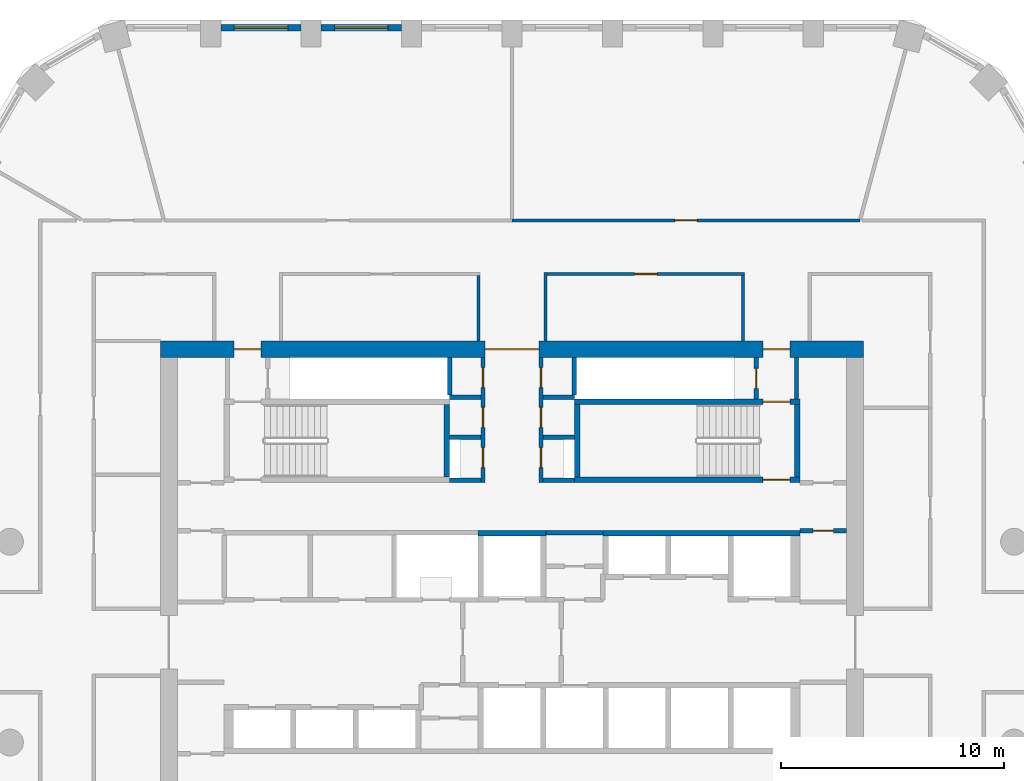
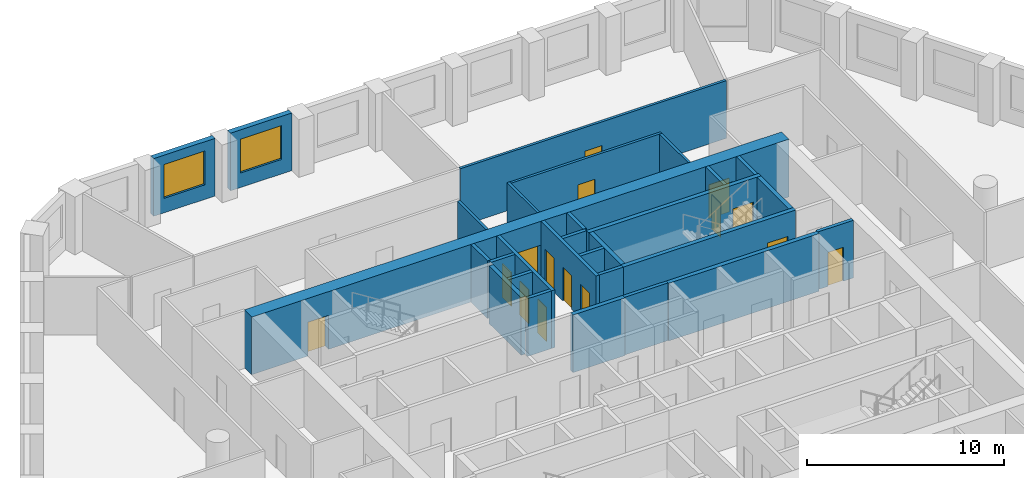
# One storey, part 7 of 10: 29 walls, 15 doors, 2 windows, 17 openings.
"""IFC4 building model written with IfcOpenShell, lengths in metres."""

from ifc_helpers import new_model, si_unit, direction, frame, frame_2d, origin, place, context, subcontext, project, spatial, polyline, rectangle, outline, extrude, material, layer, layer_set, type_object, element, fill, save


model = new_model("IFC4")

# Units and contexts
model_context = context("Model", 3, precision=1e-05, world=origin(), true_north=direction((0.0, 1.0)))
body_context = subcontext(model_context, "Body", "Model", "MODEL_VIEW")
ifc_project = project(units=[si_unit("LENGTHUNIT", "METRE"), si_unit("AREAUNIT", "SQUARE_METRE"), si_unit("VOLUMEUNIT", "CUBIC_METRE"), si_unit("PLANEANGLEUNIT", "RADIAN"), si_unit("MASSUNIT", "GRAM", prefix="KILO")], contexts=[model_context])

# Site, building, storey
site_placement = place(None, origin())
site = spatial("IfcSite", under=ifc_project, at=site_placement, CompositionType="ELEMENT")
building_placement = place(site_placement, origin())
building = spatial("IfcBuilding", under=site, at=building_placement, Name="Dhurran Vertical Campus", CompositionType="ELEMENT")
storey_placement = place(building_placement, frame((0.0, 0.0, 152.10009765625)))
storey = spatial("IfcBuildingStorey", under=building, at=storey_placement, Name="L37", CompositionType="ELEMENT", Elevation=152.10009765625)

# Wall, opening, window
ifc_material_1 = material(Name="Precast concrete C50/60", Category="concrete")
ifc_layer_1 = layer(ifc_material_1, 0.300048828125)
ifc_layer_set_1 = layer_set([ifc_layer_1], Name="Precast concrete C50/60")
wall_type_1 = type_object("IfcWallType", Name="Precast spandrel wall 300", PredefinedType="SOLIDWALL", material=ifc_layer_set_1)
wall_1_placement = place(storey_placement, frame((-4.950439453125, 27.53271484375, 0.0), z_axis=(0.0, 0.0, 1.0), x_axis=(-1.0, 0.0, 0.0)))
wall_1 = element("IfcWall", 1, at=wall_1_placement, inside=storey, type_object=wall_type_1, Name="EW1 L37.28", PredefinedType="SOLIDWALL", context=body_context, shape_type="SweptSolid", body=[
    extrude(rectangle(XDim=3.59912109375, YDim=0.300048828125, at=frame_2d((1.799560546875, 0.0))), origin(), (0.0, 0.0, 1.0), 3.574951171875),
])
opening_1_placement = place(wall_1_placement, frame((0.599609375, 0.0, 0.89990234375)))
opening_1 = element("IfcOpeningElement", 2, at=opening_1_placement, cuts=wall_1, Name="Opening WT1", PredefinedType="OPENING", context=body_context, shape_type="SweptSolid", body=[
    extrude(rectangle(XDim=2.39990234375, YDim=2.10009765625, at=frame_2d((1.199951171875, 1.050048828125))), frame((0.0, 0.159912109375, 0.0), z_axis=(0.0, -1.0, 0.0), x_axis=(1.0, 0.0, 0.0)), (0.0, 0.0, 1.0), 0.320068359375),
])
ifc_material_2 = material(Name="Aluminium frame with solar-control glass", Category="aluminium")
window_type = type_object("IfcWindowType", Name="Punched window 2400 x 2100", PartitioningType="SINGLE_PANEL", PredefinedType="WINDOW", material=ifc_material_2)
window_1_placement = place(opening_1_placement, origin())
window_1 = element("IfcWindow", 3, at=window_1_placement, inside=storey, type_object=window_type, Name="WT1 L37.28", OverallHeight=2.10009765625, OverallWidth=2.39990234375, PartitioningType="SINGLE_PANEL", PredefinedType="WINDOW", context=body_context, shape_type="SweptSolid", body=[
    extrude(rectangle(XDim=2.39990234375, YDim=2.10009765625, at=frame_2d((1.199951171875, 1.050048828125))), frame((0.0, 0.030029296875, 0.0), z_axis=(0.0, -1.0, 0.0), x_axis=(1.0, 0.0, 0.0)), (0.0, 0.0, 1.0), 0.06005859375),
])
fill(opening_1, window_1)

wall_2_placement = place(storey_placement, frame((-9.450439453125, 27.53271484375, 0.0), z_axis=(0.0, 0.0, 1.0), x_axis=(-1.0, 0.0, 0.0)))
wall_2 = element("IfcWall", 4, at=wall_2_placement, inside=storey, type_object=wall_type_1, Name="EW1 L37.29", PredefinedType="SOLIDWALL", context=body_context, shape_type="SweptSolid", body=[
    extrude(rectangle(XDim=3.59912109375, YDim=0.300048828125, at=frame_2d((1.799560546875, 0.0))), origin(), (0.0, 0.0, 1.0), 3.574951171875),
])
opening_2_placement = place(wall_2_placement, frame((0.599609375, 0.0, 0.89990234375)))
opening_2 = element("IfcOpeningElement", 5, at=opening_2_placement, cuts=wall_2, Name="Opening WT1", PredefinedType="OPENING", context=body_context, shape_type="SweptSolid", body=[
    extrude(rectangle(XDim=2.39990234375, YDim=2.10009765625, at=frame_2d((1.199951171875, 1.050048828125))), frame((0.0, 0.159912109375, 0.0), z_axis=(0.0, -1.0, 0.0), x_axis=(1.0, 0.0, 0.0)), (0.0, 0.0, 1.0), 0.320068359375),
])
window_2_placement = place(opening_2_placement, origin())
window_2 = element("IfcWindow", 6, at=window_2_placement, inside=storey, type_object=window_type, Name="WT1 L37.29", OverallHeight=2.10009765625, OverallWidth=2.39990234375, PartitioningType="SINGLE_PANEL", PredefinedType="WINDOW", context=body_context, shape_type="SweptSolid", body=[
    extrude(rectangle(XDim=2.39990234375, YDim=2.10009765625, at=frame_2d((1.199951171875, 1.050048828125))), frame((0.0, 0.030029296875, 0.0), z_axis=(0.0, -1.0, 0.0), x_axis=(1.0, 0.0, 0.0)), (0.0, 0.0, 1.0), 0.06005859375),
])
fill(opening_2, window_2)

# Wall, openings, doors
ifc_material_3 = material(Name="Concrete C60/75", Category="concrete")
ifc_layer_2 = layer(ifc_material_3, 0.75)
ifc_layer_set_2 = layer_set([ifc_layer_2], Name="Concrete C60/75")
wall_type_2 = type_object("IfcWallType", Name="co-CORE-WALL-C1-750", PredefinedType="SHEAR", material=ifc_layer_set_2)
wall_3_placement = place(storey_placement, frame((-15.75, 13.125, 0.0), z_axis=(0.0, 0.0, 1.0), x_axis=(1.0, 0.0, 0.0)))
wall_3 = element("IfcWall", 7, at=wall_3_placement, inside=storey, type_object=wall_type_2, Name="Core wall N L37", PredefinedType="SHEAR", context=body_context, shape_type="SweptSolid", body=[
    extrude(rectangle(XDim=31.5, YDim=0.75, at=frame_2d((15.75, 0.0))), origin(), (0.0, 0.0, 1.0), 3.574951171875),
])
opening_3_placement = place(wall_3_placement, frame((14.550048828125, 0.0, 0.0)))
opening_3 = element("IfcOpeningElement", 8, at=opening_3_placement, cuts=wall_3, Name="Opening CV1", PredefinedType="OPENING", context=body_context, shape_type="SweptSolid", body=[
    extrude(rectangle(XDim=2.39990234375, YDim=2.10009765625, at=frame_2d((1.199951171875, 1.050048828125))), frame((0.0, 0.385009765625, 0.0), z_axis=(0.0, -1.0, 0.0), x_axis=(1.0, 0.0, 0.0)), (0.0, 0.0, 1.0), 0.77001953125),
])
opening_4_placement = place(wall_3_placement, frame((3.300048828125, 0.0, 0.0)))
opening_4 = element("IfcOpeningElement", 9, at=opening_4_placement, cuts=wall_3, Name="Opening XD1", PredefinedType="OPENING", context=body_context, shape_type="SweptSolid", body=[
    extrude(rectangle(XDim=1.199951171875, YDim=2.10009765625, at=frame_2d((0.60009765625, 1.050048828125))), frame((0.0, 0.385009765625, 0.0), z_axis=(0.0, -1.0, 0.0), x_axis=(1.0, 0.0, 0.0)), (0.0, 0.0, 1.0), 0.77001953125),
])
opening_5_placement = place(wall_3_placement, frame((27.0, 0.0, 0.0)))
opening_5 = element("IfcOpeningElement", 10, at=opening_5_placement, cuts=wall_3, Name="Opening XD2", PredefinedType="OPENING", context=body_context, shape_type="SweptSolid", body=[
    extrude(rectangle(XDim=1.199951171875, YDim=2.10009765625, at=frame_2d((0.60009765625, 1.050048828125))), frame((0.0, 0.385009765625, 0.0), z_axis=(0.0, -1.0, 0.0), x_axis=(1.0, 0.0, 0.0)), (0.0, 0.0, 1.0), 0.77001953125),
])
ifc_material_4 = material(Name="Fire-rated glazed door set")
door_type_1 = type_object("IfcDoorType", Name="co-D-LOBBY 2400x2100", OperationType="DOUBLE_DOOR_DOUBLE_SWING", PredefinedType="DOOR", material=ifc_material_4)
door_1_placement = place(opening_3_placement, origin())
door_1 = element("IfcDoor", 11, at=door_1_placement, inside=storey, type_object=door_type_1, Name="Core vestibule door N L37", OperationType="DOUBLE_DOOR_DOUBLE_SWING", OverallHeight=2.10009765625, OverallWidth=2.39990234375, PredefinedType="DOOR", context=body_context, shape_type="SweptSolid", body=[
    extrude(rectangle(XDim=2.39990234375, YDim=2.10009765625, at=frame_2d((1.199951171875, 1.050048828125))), frame((0.0, 0.02490234375, 0.0), z_axis=(0.0, -1.0, 0.0), x_axis=(1.0, 0.0, 0.0)), (0.0, 0.0, 1.0), 0.050048828125),
])
fill(opening_3, door_1)
ifc_material_5 = material(Name="Fire-rated steel door set", Category="steel")
door_type_2 = type_object("IfcDoorType", Name="co-D-STAIR-EXIT 1200x2100", OperationType="SINGLE_SWING_RIGHT", PredefinedType="DOOR", material=ifc_material_5)
door_2_placement = place(opening_4_placement, origin())
door_2 = element("IfcDoor", 12, at=door_2_placement, inside=storey, type_object=door_type_2, Name="Stair ST1 exit door L37", OperationType="SINGLE_SWING_RIGHT", OverallHeight=2.10009765625, OverallWidth=1.199951171875, PredefinedType="DOOR", context=body_context, shape_type="SweptSolid", body=[
    extrude(rectangle(XDim=1.199951171875, YDim=2.10009765625, at=frame_2d((0.60009765625, 1.050048828125))), frame((0.0, 0.02490234375, 0.0), z_axis=(0.0, -1.0, 0.0), x_axis=(1.0, 0.0, 0.0)), (0.0, 0.0, 1.0), 0.050048828125),
])
fill(opening_4, door_2)
door_3_placement = place(opening_5_placement, origin())
door_3 = element("IfcDoor", 13, at=door_3_placement, inside=storey, type_object=door_type_2, Name="Stair ST2 exit door L37", OperationType="SINGLE_SWING_RIGHT", OverallHeight=2.10009765625, OverallWidth=1.199951171875, PredefinedType="DOOR", context=body_context, shape_type="SweptSolid", body=[
    extrude(rectangle(XDim=1.199951171875, YDim=2.10009765625, at=frame_2d((0.60009765625, 1.050048828125))), frame((0.0, 0.02490234375, 0.0), z_axis=(0.0, -1.0, 0.0), x_axis=(1.0, 0.0, 0.0)), (0.0, 0.0, 1.0), 0.050048828125),
])
fill(opening_5, door_3)

# Walls
ifc_material_6 = material(Name="Fire-rated masonry blockwork", Category="masonry")
ifc_layer_3 = layer(ifc_material_6, 0.199951171875)
ifc_layer_set_3 = layer_set([ifc_layer_3], Name="Fire-rated masonry blockwork")
wall_type_3 = type_object("IfcWallType", Name="co-FIRE-PARTITION-200", PredefinedType="PARTITIONING", material=ifc_layer_set_3)
for number, where, z_axis, x_axis, name in (
    (14, (-2.800048828125, 7.25, 0.0), (0.0, 0.0, 1.0), (1.0, 0.0, 0.0), "Core partition sl-NW-S L37"),
    (15, (-2.800048828125, 9.18603515625, 0.0), (0.0, 0.0, 1.0), (1.0, 0.0, 0.0), "Core partition sl-NW-cut0 L37"),
    (16, (-2.800048828125, 10.968017578125, 0.0), (0.0, 0.0, 1.0), (1.0, 0.0, 0.0), "Core partition sl-NW-cut1 L37"),
    (17, (1.39990234375, 7.25, 0.0), (0.0, 0.0, 1.0), (1.0, 0.0, 0.0), "Core partition sl-NE-S L37"),
    (18, (1.39990234375, 9.18603515625, 0.0), (0.0, 0.0, 1.0), (1.0, 0.0, 0.0), "Core partition sl-NE-cut0 L37"),
    (19, (1.39990234375, 10.968017578125, 0.0), (0.0, 0.0, 1.0), (1.0, 0.0, 0.0), "Core partition sl-NE-cut1 L37"),
):
    element("IfcWall", number, at=place(storey_placement, frame(where, z_axis=z_axis, x_axis=x_axis)), inside=storey, type_object=wall_type_3, Name=name, PredefinedType="PARTITIONING", context=body_context, shape_type="SweptSolid", body=[
        extrude(rectangle(XDim=1.400146484375, YDim=0.199951171875, at=frame_2d((0.7001953125, 0.0))), origin(), (0.0, 0.0, 1.0), 3.574951171875),
    ])

# Wall, openings, doors
wall_4_placement = place(storey_placement, frame((-1.300048828125, 7.14990234375, 0.0), z_axis=(0.0, 0.0, 1.0), x_axis=(0.0, 1.0, 0.0)))
wall_4 = element("IfcWall", 20, at=wall_4_placement, inside=storey, type_object=wall_type_3, Name="Core partition vest-NW L37", PredefinedType="PARTITIONING", context=body_context, shape_type="SweptSolid", body=[
    extrude(rectangle(XDim=5.60009765625, YDim=0.199951171875, at=frame_2d((2.800048828125, 0.0))), origin(), (0.0, 0.0, 1.0), 3.574951171875),
])
opening_6_placement = place(wall_4_placement, frame((0.66796875, 0.0, 0.0)))
opening_6 = element("IfcOpeningElement", 21, at=opening_6_placement, cuts=wall_4, Name="Opening T10-C5", PredefinedType="OPENING", context=body_context, shape_type="SweptSolid", body=[
    extrude(rectangle(XDim=0.89990234375, YDim=2.10009765625, at=frame_2d((0.449951171875, 1.050048828125))), frame((0.0, 0.10986328125, 0.0), z_axis=(0.0, -1.0, 0.0), x_axis=(1.0, 0.0, 0.0)), (0.0, 0.0, 1.0), 0.219970703125),
])
opening_7_placement = place(wall_4_placement, frame((2.47705078125, 0.0, 0.0)))
opening_7 = element("IfcOpeningElement", 22, at=opening_7_placement, cuts=wall_4, Name="Opening T10-C6", PredefinedType="OPENING", context=body_context, shape_type="SweptSolid", body=[
    extrude(rectangle(XDim=0.89990234375, YDim=2.10009765625, at=frame_2d((0.449951171875, 1.050048828125))), frame((0.0, 0.10986328125, 0.0), z_axis=(0.0, -1.0, 0.0), x_axis=(1.0, 0.0, 0.0)), (0.0, 0.0, 1.0), 0.219970703125),
])
opening_8_placement = place(wall_4_placement, frame((4.259033203125, 0.0, 0.0)))
opening_8 = element("IfcOpeningElement", 23, at=opening_8_placement, cuts=wall_4, Name="Opening T10-C7", PredefinedType="OPENING", context=body_context, shape_type="SweptSolid", body=[
    extrude(rectangle(XDim=0.89990234375, YDim=2.10009765625, at=frame_2d((0.449951171875, 1.050048828125))), frame((0.0, 0.10986328125, 0.0), z_axis=(0.0, -1.0, 0.0), x_axis=(1.0, 0.0, 0.0)), (0.0, 0.0, 1.0), 0.219970703125),
])
ifc_material_7 = material(Name="Fire-rated timber door set", Category="wood")
door_type_3 = type_object("IfcDoorType", Name="co-D-ROOM 900x2100", OperationType="SINGLE_SWING_LEFT", PredefinedType="DOOR", material=ifc_material_7)
door_4_placement = place(opening_6_placement, origin())
door_4 = element("IfcDoor", 24, at=door_4_placement, inside=storey, type_object=door_type_3, Name="Electrical riser door L37", OperationType="SINGLE_SWING_LEFT", OverallHeight=2.10009765625, OverallWidth=0.89990234375, PredefinedType="DOOR", context=body_context, shape_type="SweptSolid", body=[
    extrude(rectangle(XDim=0.89990234375, YDim=2.10009765625, at=frame_2d((0.449951171875, 1.050048828125))), frame((0.0, 0.02490234375, 0.0), z_axis=(0.0, -1.0, 0.0), x_axis=(1.0, 0.0, 0.0)), (0.0, 0.0, 1.0), 0.050048828125),
])
fill(opening_6, door_4)
door_5_placement = place(opening_7_placement, origin())
door_5 = element("IfcDoor", 25, at=door_5_placement, inside=storey, type_object=door_type_3, Name="Waste room door L37", OperationType="SINGLE_SWING_LEFT", OverallHeight=2.10009765625, OverallWidth=0.89990234375, PredefinedType="DOOR", context=body_context, shape_type="SweptSolid", body=[
    extrude(rectangle(XDim=0.89990234375, YDim=2.10009765625, at=frame_2d((0.449951171875, 1.050048828125))), frame((0.0, 0.02490234375, 0.0), z_axis=(0.0, -1.0, 0.0), x_axis=(1.0, 0.0, 0.0)), (0.0, 0.0, 1.0), 0.050048828125),
])
fill(opening_7, door_5)
door_6_placement = place(opening_8_placement, origin())
door_6 = element("IfcDoor", 26, at=door_6_placement, inside=storey, type_object=door_type_3, Name="Server room door L37", OperationType="SINGLE_SWING_LEFT", OverallHeight=2.10009765625, OverallWidth=0.89990234375, PredefinedType="DOOR", context=body_context, shape_type="SweptSolid", body=[
    extrude(rectangle(XDim=0.89990234375, YDim=2.10009765625, at=frame_2d((0.449951171875, 1.050048828125))), frame((0.0, 0.02490234375, 0.0), z_axis=(0.0, -1.0, 0.0), x_axis=(1.0, 0.0, 0.0)), (0.0, 0.0, 1.0), 0.050048828125),
])
fill(opening_8, door_6)

wall_5_placement = place(storey_placement, frame((1.300048828125, 7.14990234375, 0.0), z_axis=(0.0, 0.0, 1.0), x_axis=(0.0, 1.0, 0.0)))
wall_5 = element("IfcWall", 27, at=wall_5_placement, inside=storey, type_object=wall_type_3, Name="Core partition vest-NE L37", PredefinedType="PARTITIONING", context=body_context, shape_type="SweptSolid", body=[
    extrude(rectangle(XDim=5.60009765625, YDim=0.199951171875, at=frame_2d((2.800048828125, 0.0))), origin(), (0.0, 0.0, 1.0), 3.574951171875),
])
opening_9_placement = place(wall_5_placement, frame((0.66796875, 0.0, 0.0)))
opening_9 = element("IfcOpeningElement", 28, at=opening_9_placement, cuts=wall_5, Name="Opening T10-C8", PredefinedType="OPENING", context=body_context, shape_type="SweptSolid", body=[
    extrude(rectangle(XDim=0.89990234375, YDim=2.10009765625, at=frame_2d((0.449951171875, 1.050048828125))), frame((0.0, 0.10986328125, 0.0), z_axis=(0.0, -1.0, 0.0), x_axis=(1.0, 0.0, 0.0)), (0.0, 0.0, 1.0), 0.219970703125),
])
opening_10_placement = place(wall_5_placement, frame((2.47705078125, 0.0, 0.0)))
opening_10 = element("IfcOpeningElement", 29, at=opening_10_placement, cuts=wall_5, Name="Opening T10-C9", PredefinedType="OPENING", context=body_context, shape_type="SweptSolid", body=[
    extrude(rectangle(XDim=0.89990234375, YDim=2.10009765625, at=frame_2d((0.449951171875, 1.050048828125))), frame((0.0, 0.10986328125, 0.0), z_axis=(0.0, -1.0, 0.0), x_axis=(1.0, 0.0, 0.0)), (0.0, 0.0, 1.0), 0.219970703125),
])
opening_11_placement = place(wall_5_placement, frame((4.259033203125, 0.0, 0.0)))
opening_11 = element("IfcOpeningElement", 30, at=opening_11_placement, cuts=wall_5, Name="Opening T10-C10", PredefinedType="OPENING", context=body_context, shape_type="SweptSolid", body=[
    extrude(rectangle(XDim=0.89990234375, YDim=2.10009765625, at=frame_2d((0.449951171875, 1.050048828125))), frame((0.0, 0.10986328125, 0.0), z_axis=(0.0, -1.0, 0.0), x_axis=(1.0, 0.0, 0.0)), (0.0, 0.0, 1.0), 0.219970703125),
])
door_7_placement = place(opening_9_placement, origin())
door_7 = element("IfcDoor", 31, at=door_7_placement, inside=storey, type_object=door_type_3, Name="Water riser door L37", OperationType="SINGLE_SWING_LEFT", OverallHeight=2.10009765625, OverallWidth=0.89990234375, PredefinedType="DOOR", context=body_context, shape_type="SweptSolid", body=[
    extrude(rectangle(XDim=0.89990234375, YDim=2.10009765625, at=frame_2d((0.449951171875, 1.050048828125))), frame((0.0, 0.02490234375, 0.0), z_axis=(0.0, -1.0, 0.0), x_axis=(1.0, 0.0, 0.0)), (0.0, 0.0, 1.0), 0.050048828125),
])
fill(opening_9, door_7)
door_8_placement = place(opening_10_placement, origin())
door_8 = element("IfcDoor", 32, at=door_8_placement, inside=storey, type_object=door_type_3, Name="Fire equipment store door L37", OperationType="SINGLE_SWING_LEFT", OverallHeight=2.10009765625, OverallWidth=0.89990234375, PredefinedType="DOOR", context=body_context, shape_type="SweptSolid", body=[
    extrude(rectangle(XDim=0.89990234375, YDim=2.10009765625, at=frame_2d((0.449951171875, 1.050048828125))), frame((0.0, 0.02490234375, 0.0), z_axis=(0.0, -1.0, 0.0), x_axis=(1.0, 0.0, 0.0)), (0.0, 0.0, 1.0), 0.050048828125),
])
fill(opening_10, door_8)
door_9_placement = place(opening_11_placement, origin())
door_9 = element("IfcDoor", 33, at=door_9_placement, inside=storey, type_object=door_type_3, Name="Pantry door L37", OperationType="SINGLE_SWING_LEFT", OverallHeight=2.10009765625, OverallWidth=0.89990234375, PredefinedType="DOOR", context=body_context, shape_type="SweptSolid", body=[
    extrude(rectangle(XDim=0.89990234375, YDim=2.10009765625, at=frame_2d((0.449951171875, 1.050048828125))), frame((0.0, 0.02490234375, 0.0), z_axis=(0.0, -1.0, 0.0), x_axis=(1.0, 0.0, 0.0)), (0.0, 0.0, 1.0), 0.050048828125),
])
fill(opening_11, door_9)

# Wall
wall_6_placement = place(storey_placement, frame((12.75, 10.89990234375, 0.0), z_axis=(0.0, 0.0, 1.0), x_axis=(0.0, 1.0, 0.0)))
element("IfcWall", 34, at=wall_6_placement, inside=storey, type_object=wall_type_3, Name="Core partition pass-ST2-o L37", PredefinedType="PARTITIONING", context=body_context, shape_type="SweptSolid", body=[
    extrude(rectangle(XDim=1.85009765625, YDim=0.199951171875, at=frame_2d((0.925048828125, 0.0))), origin(), (0.0, 0.0, 1.0), 3.574951171875),
])

# Wall, opening, door
wall_7_placement = place(storey_placement, frame((10.949951171875, 10.89990234375, 0.0), z_axis=(0.0, 0.0, 1.0), x_axis=(0.0, 1.0, 0.0)))
wall_7 = element("IfcWall", 35, at=wall_7_placement, inside=storey, type_object=wall_type_3, Name="Core partition pass-ST2-i L37", PredefinedType="PARTITIONING", context=body_context, shape_type="SweptSolid", body=[
    extrude(rectangle(XDim=1.85009765625, YDim=0.199951171875, at=frame_2d((0.925048828125, 0.0))), origin(), (0.0, 0.0, 1.0), 3.574951171875),
])
opening_12_placement = place(wall_7_placement, frame((0.47509765625, 0.0, 0.0)))
opening_12 = element("IfcOpeningElement", 36, at=opening_12_placement, cuts=wall_7, Name="Opening T10-C12", PredefinedType="OPENING", context=body_context, shape_type="SweptSolid", body=[
    extrude(rectangle(XDim=0.89990234375, YDim=2.10009765625, at=frame_2d((0.449951171875, 1.050048828125))), frame((0.0, 0.10986328125, 0.0), z_axis=(0.0, -1.0, 0.0), x_axis=(1.0, 0.0, 0.0)), (0.0, 0.0, 1.0), 0.219970703125),
])
door_10_placement = place(opening_12_placement, origin())
door_10 = element("IfcDoor", 37, at=door_10_placement, inside=storey, type_object=door_type_3, Name="Riser room door L37", OperationType="SINGLE_SWING_LEFT", OverallHeight=2.10009765625, OverallWidth=0.89990234375, PredefinedType="DOOR", context=body_context, shape_type="SweptSolid", body=[
    extrude(rectangle(XDim=0.89990234375, YDim=2.10009765625, at=frame_2d((0.449951171875, 1.050048828125))), frame((0.0, 0.02490234375, 0.0), z_axis=(0.0, -1.0, 0.0), x_axis=(1.0, 0.0, 0.0)), (0.0, 0.0, 1.0), 0.050048828125),
])
fill(opening_12, door_10)

wall_8_placement = place(storey_placement, frame((12.89990234375, 5.0, 0.0), z_axis=(0.0, 0.0, 1.0), x_axis=(1.0, 0.0, 0.0)))
wall_8 = element("IfcWall", 38, at=wall_8_placement, inside=storey, type_object=wall_type_3, Name="Core partition es-NE-w L37", PredefinedType="PARTITIONING", context=body_context, shape_type="SweptSolid", body=[
    extrude(rectangle(XDim=2.10009765625, YDim=0.199951171875, at=frame_2d((1.050048828125, 0.0))), origin(), (0.0, 0.0, 1.0), 3.574951171875),
])
opening_13_placement = place(wall_8_placement, frame((0.60009765625, 0.0, 0.0)))
opening_13 = element("IfcOpeningElement", 39, at=opening_13_placement, cuts=wall_8, Name="Opening T10-C18", PredefinedType="OPENING", context=body_context, shape_type="SweptSolid", body=[
    extrude(rectangle(XDim=0.89990234375, YDim=2.10009765625, at=frame_2d((0.449951171875, 1.050048828125))), frame((0.0, 0.10986328125, 0.0), z_axis=(0.0, -1.0, 0.0), x_axis=(1.0, 0.0, 0.0)), (0.0, 0.0, 1.0), 0.219970703125),
])
door_11_placement = place(opening_13_placement, origin())
door_11 = element("IfcDoor", 40, at=door_11_placement, inside=storey, type_object=door_type_3, Name="Pantry door L37", OperationType="SINGLE_SWING_LEFT", OverallHeight=2.10009765625, OverallWidth=0.89990234375, PredefinedType="DOOR", context=body_context, shape_type="SweptSolid", body=[
    extrude(rectangle(XDim=0.89990234375, YDim=2.10009765625, at=frame_2d((0.449951171875, 1.050048828125))), frame((0.0, 0.02490234375, 0.0), z_axis=(0.0, -1.0, 0.0), x_axis=(1.0, 0.0, 0.0)), (0.0, 0.0, 1.0), 0.050048828125),
])
fill(opening_13, door_11)

# Walls
wall_9_placement = place(storey_placement, frame((1.52490234375, 4.89990234375, 0.0), z_axis=(0.0, 0.0, 1.0), x_axis=(1.0, 0.0, 0.0)))
element("IfcWall", 41, at=wall_9_placement, inside=storey, type_object=wall_type_3, Name="Core partition fr-N1-b L37", PredefinedType="PARTITIONING", context=body_context, shape_type="SweptSolid", body=[
    extrude(rectangle(XDim=2.550048828125, YDim=0.199951171875, at=frame_2d((1.27490234375, 0.0))), origin(), (0.0, 0.0, 1.0), 3.574951171875),
])
for number, where, z_axis, x_axis, name in (
    (42, (-2.800048828125, 11.069091796875, 0.0), (0.0, 0.0, 1.0), (0.0, 1.0, 0.0), "Riser enclosure wall L37"),
    (43, (2.800048828125, 12.7490234375, 0.0), (0.0, 0.0, 1.0), (0.0, -1.0, 0.0), "Riser enclosure wall L37"),
):
    element("IfcWall", number, at=place(storey_placement, frame(where, z_axis=z_axis, x_axis=x_axis)), inside=storey, type_object=wall_type_3, Name=name, PredefinedType="PARTITIONING", context=body_context, shape_type="SweptSolid", body=[
        extrude(rectangle(XDim=1.679931640625, YDim=0.199951171875, at=frame_2d((0.83984375, 0.0))), origin(), (0.0, 0.0, 1.0), 3.574951171875),
    ])
ifc_material_8 = material(Name="Concrete C50/60", Category="concrete")
ifc_layer_4 = layer(ifc_material_8, 0.25)
ifc_layer_set_4 = layer_set([ifc_layer_4], Name="Concrete C50/60")
wall_type_4 = type_object("IfcWallType", Name="co-SHAFT-MASS-250", PredefinedType="SHEAR", material=ifc_layer_set_4)
wall_10_placement = place(storey_placement, origin())
element("IfcWall", 44, at=wall_10_placement, inside=storey, type_object=wall_type_4, Name="Lift shaft wall N L37 1", PredefinedType="SHEAR", context=body_context, shape_type="SweptSolid", body=[
    extrude(outline(polyline([(-1.52490234375, 4.75), (1.52490234375, 4.75), (1.52490234375, 5.0), (-1.52490234375, 5.0), (-1.52490234375, 4.75)])), origin(), (0.0, 0.0, 1.0), 3.574951171875),
])
wall_11_placement = place(storey_placement, origin())
element("IfcWall", 45, at=wall_11_placement, inside=storey, type_object=wall_type_4, Name="Lift shaft wall N L37 2", PredefinedType="SHEAR", context=body_context, shape_type="SweptSolid", body=[
    extrude(outline(polyline([(4.074951171875, 4.75), (12.89990234375, 4.75), (12.89990234375, 5.0), (4.074951171875, 5.0), (4.074951171875, 4.75)])), origin(), (0.0, 0.0, 1.0), 3.574951171875),
])
ifc_material_9 = material(Name="Concrete C40/50", Category="concrete")
ifc_layer_5 = layer(ifc_material_9, 0.25)
ifc_layer_set_5 = layer_set([ifc_layer_5], Name="Concrete C40/50")
wall_type_5 = type_object("IfcWallType", Name="co-STAIR-WALL-250", PredefinedType="SHEAR", material=ifc_layer_set_5)
wall_12_placement = place(storey_placement, frame((-2.925048828125, 7.39990234375, 0.0), z_axis=(0.0, 0.0, 1.0), x_axis=(0.0, 1.0, 0.0)))
element("IfcWall", 46, at=wall_12_placement, inside=storey, type_object=wall_type_5, Name="Stair ST1 enclosure wall L37", PredefinedType="SHEAR", context=body_context, shape_type="SweptSolid", body=[
    extrude(rectangle(XDim=3.25, YDim=0.25, at=frame_2d((1.625, 0.0))), origin(), (0.0, 0.0, 1.0), 3.574951171875),
])

# Wall, opening, door
wall_13_placement = place(storey_placement, frame((2.800048828125, 7.27490234375, 0.0), z_axis=(0.0, 0.0, 1.0), x_axis=(1.0, 0.0, 0.0)))
wall_13 = element("IfcWall", 47, at=wall_13_placement, inside=storey, type_object=wall_type_5, Name="Stair ST2 enclosure wall L37", PredefinedType="SHEAR", context=body_context, shape_type="SweptSolid", body=[
    extrude(rectangle(XDim=10.099853515625, YDim=0.25, at=frame_2d((5.0498046875, 0.0))), origin(), (0.0, 0.0, 1.0), 3.574951171875),
])
opening_14_placement = place(wall_13_placement, frame((8.449951171875, 0.0, 0.0)))
opening_14 = element("IfcOpeningElement", 48, at=opening_14_placement, cuts=wall_13, Name="Opening SD2", PredefinedType="OPENING", context=body_context, shape_type="SweptSolid", body=[
    extrude(rectangle(XDim=1.199951171875, YDim=2.10009765625, at=frame_2d((0.60009765625, 1.050048828125))), frame((0.0, 0.135009765625, 0.0), z_axis=(0.0, -1.0, 0.0), x_axis=(1.0, 0.0, 0.0)), (0.0, 0.0, 1.0), 0.27001953125),
])
ifc_material_10 = material(Name="Fire-rated steel door set", Category="steel")
door_type_4 = type_object("IfcDoorType", Name="co-D-STAIR 1200x2100", OperationType="SINGLE_SWING_LEFT", PredefinedType="DOOR", material=ifc_material_10)
door_12_placement = place(opening_14_placement, origin())
door_12 = element("IfcDoor", 49, at=door_12_placement, inside=storey, type_object=door_type_4, Name="Stair ST2 door L37", OperationType="SINGLE_SWING_LEFT", OverallHeight=2.10009765625, OverallWidth=1.199951171875, PredefinedType="DOOR", context=body_context, shape_type="SweptSolid", body=[
    extrude(rectangle(XDim=1.199951171875, YDim=2.10009765625, at=frame_2d((0.60009765625, 1.050048828125))), frame((0.0, 0.02490234375, 0.0), z_axis=(0.0, -1.0, 0.0), x_axis=(1.0, 0.0, 0.0)), (0.0, 0.0, 1.0), 0.050048828125),
])
fill(opening_14, door_12)

wall_14_placement = place(storey_placement, frame((2.800048828125, 10.77490234375, 0.0), z_axis=(0.0, 0.0, 1.0), x_axis=(1.0, 0.0, 0.0)))
wall_14 = element("IfcWall", 50, at=wall_14_placement, inside=storey, type_object=wall_type_5, Name="Stair ST2 enclosure wall L37", PredefinedType="SHEAR", context=body_context, shape_type="SweptSolid", body=[
    extrude(rectangle(XDim=10.099853515625, YDim=0.25, at=frame_2d((5.0498046875, 0.0))), origin(), (0.0, 0.0, 1.0), 3.574951171875),
])
opening_15_placement = place(wall_14_placement, frame((8.449951171875, 0.0, 0.0)))
opening_15 = element("IfcOpeningElement", 51, at=opening_15_placement, cuts=wall_14, Name="Opening XS2", PredefinedType="OPENING", context=body_context, shape_type="SweptSolid", body=[
    extrude(rectangle(XDim=1.199951171875, YDim=2.10009765625, at=frame_2d((0.60009765625, 1.050048828125))), frame((0.0, 0.135009765625, 0.0), z_axis=(0.0, -1.0, 0.0), x_axis=(1.0, 0.0, 0.0)), (0.0, 0.0, 1.0), 0.27001953125),
])
door_13_placement = place(opening_15_placement, origin())
door_13 = element("IfcDoor", 52, at=door_13_placement, inside=storey, type_object=door_type_2, Name="Stair ST2 discharge door L37", OperationType="SINGLE_SWING_RIGHT", OverallHeight=2.10009765625, OverallWidth=1.199951171875, PredefinedType="DOOR", context=body_context, shape_type="SweptSolid", body=[
    extrude(rectangle(XDim=1.199951171875, YDim=2.10009765625, at=frame_2d((0.60009765625, 1.050048828125))), frame((0.0, 0.02490234375, 0.0), z_axis=(0.0, -1.0, 0.0), x_axis=(1.0, 0.0, 0.0)), (0.0, 0.0, 1.0), 0.050048828125),
])
fill(opening_15, door_13)

# Walls
for number, where, z_axis, x_axis, name in (
    (53, (2.925048828125, 7.39990234375, 0.0), (0.0, 0.0, 1.0), (0.0, 1.0, 0.0), "Stair ST2 enclosure wall L37"),
    (54, (12.77490234375, 7.39990234375, 0.0), (0.0, 0.0, 1.0), (0.0, 1.0, 0.0), "Stair ST2 enclosure wall L37"),
):
    element("IfcWall", number, at=place(storey_placement, frame(where, z_axis=z_axis, x_axis=x_axis)), inside=storey, type_object=wall_type_5, Name=name, PredefinedType="SHEAR", context=body_context, shape_type="SweptSolid", body=[
        extrude(rectangle(XDim=3.25, YDim=0.25, at=frame_2d((1.625, 0.0))), origin(), (0.0, 0.0, 1.0), 3.574951171875),
    ])
ifc_material_11 = material(Name="Gypsum board corridor wall on steel studs", Category="steel")
ifc_layer_6 = layer(ifc_material_11, 0.14990234375)
ifc_layer_set_6 = layer_set([ifc_layer_6], Name="Gypsum board corridor wall on steel studs")
wall_type_6 = type_object("IfcWallType", Name="fl-CW-150 corridor wall", PredefinedType="PARTITIONING", material=ifc_layer_set_6)
wall_15_placement = place(storey_placement, frame((-1.5, 16.425048828125, 0.0), z_axis=(0.0, 0.0, 1.0), x_axis=(0.0, -1.0, 0.0)))
element("IfcWall", 55, at=wall_15_placement, inside=storey, type_object=wall_type_6, Name="Partition 37-34", PredefinedType="PARTITIONING", context=body_context, shape_type="SweptSolid", body=[
    extrude(rectangle(XDim=2.925048828125, YDim=0.14990234375, at=frame_2d((1.46240234375, 0.0))), origin(), (0.0, 0.0, 1.0), 3.574951171875),
])

# Wall, opening, door
wall_16_placement = place(storey_placement, frame((15.593017578125, 18.89990234375, 0.0), z_axis=(0.0, 0.0, 1.0), x_axis=(-1.0, 0.0, 0.0)))
wall_16 = element("IfcWall", 56, at=wall_16_placement, inside=storey, type_object=wall_type_6, Name="Partition 37-36", PredefinedType="PARTITIONING", context=body_context, shape_type="SweptSolid", body=[
    extrude(rectangle(XDim=15.593017578125, YDim=0.14990234375, at=frame_2d((7.79638671875, 0.0))), origin(), (0.0, 0.0, 1.0), 3.574951171875),
])
opening_16_placement = place(wall_16_placement, frame((7.29638671875, 0.0, 0.0)))
opening_16 = element("IfcOpeningElement", 57, at=opening_16_placement, cuts=wall_16, Name="Opening T10.16", PredefinedType="OPENING", context=body_context, shape_type="SweptSolid", body=[
    extrude(rectangle(XDim=1.0, YDim=2.10009765625, at=frame_2d((0.5, 1.050048828125))), frame((0.0, 0.0849609375, 0.0), z_axis=(0.0, -1.0, 0.0), x_axis=(1.0, 0.0, 0.0)), (0.0, 0.0, 1.0), 0.169921875),
])
ifc_material_12 = material(Name="Solid-core timber door set, fire-rated", Category="wood")
door_type_5 = type_object("IfcDoorType", Name="fl-D-1000x2100", OperationType="SINGLE_SWING_LEFT", PredefinedType="DOOR", material=ifc_material_12)
door_14_placement = place(opening_16_placement, origin())
door_14 = element("IfcDoor", 58, at=door_14_placement, inside=storey, type_object=door_type_5, Name="Door 37.16", OperationType="SINGLE_SWING_RIGHT", OverallHeight=2.10009765625, OverallWidth=1.0, PredefinedType="DOOR", context=body_context, shape_type="SweptSolid", body=[
    extrude(rectangle(XDim=1.0, YDim=2.10009765625, at=frame_2d((0.5, 1.050048828125))), frame((0.0, 0.02490234375, 0.0), z_axis=(0.0, -1.0, 0.0), x_axis=(1.0, 0.0, 0.0)), (0.0, 0.0, 1.0), 0.050048828125),
])
fill(opening_16, door_14)

# Wall
wall_17_placement = place(storey_placement, frame((1.5, 13.5, 0.0), z_axis=(0.0, 0.0, 1.0), x_axis=(0.0, 1.0, 0.0)))
element("IfcWall", 59, at=wall_17_placement, inside=storey, type_object=wall_type_6, Name="Partition 37-39", PredefinedType="PARTITIONING", context=body_context, shape_type="SweptSolid", body=[
    extrude(rectangle(XDim=3.074951171875, YDim=0.14990234375, at=frame_2d((1.53759765625, 0.0))), origin(), (0.0, 0.0, 1.0), 3.574951171875),
])

# Wall, opening, door
wall_18_placement = place(storey_placement, frame((1.574951171875, 16.5, 0.0), z_axis=(0.0, 0.0, 1.0), x_axis=(1.0, 0.0, 0.0)))
wall_18 = element("IfcWall", 60, at=wall_18_placement, inside=storey, type_object=wall_type_6, Name="Partition 37-40", PredefinedType="PARTITIONING", context=body_context, shape_type="SweptSolid", body=[
    extrude(rectangle(XDim=8.85009765625, YDim=0.14990234375, at=frame_2d((4.425048828125, 0.0))), origin(), (0.0, 0.0, 1.0), 3.574951171875),
])
opening_17_placement = place(wall_18_placement, frame((3.925048828125, 0.0, 0.0)))
opening_17 = element("IfcOpeningElement", 61, at=opening_17_placement, cuts=wall_18, Name="Opening T10.15", PredefinedType="OPENING", context=body_context, shape_type="SweptSolid", body=[
    extrude(rectangle(XDim=1.0, YDim=2.10009765625, at=frame_2d((0.5, 1.050048828125))), frame((0.0, 0.0849609375, 0.0), z_axis=(0.0, -1.0, 0.0), x_axis=(1.0, 0.0, 0.0)), (0.0, 0.0, 1.0), 0.169921875),
])
door_15_placement = place(opening_17_placement, origin())
door_15 = element("IfcDoor", 62, at=door_15_placement, inside=storey, type_object=door_type_5, Name="Door 37.15", OperationType="SINGLE_SWING_LEFT", OverallHeight=2.10009765625, OverallWidth=1.0, PredefinedType="DOOR", context=body_context, shape_type="SweptSolid", body=[
    extrude(rectangle(XDim=1.0, YDim=2.10009765625, at=frame_2d((0.5, 1.050048828125))), frame((0.0, 0.02490234375, 0.0), z_axis=(0.0, -1.0, 0.0), x_axis=(1.0, 0.0, 0.0)), (0.0, 0.0, 1.0), 0.050048828125),
])
fill(opening_17, door_15)

# Wall
wall_19_placement = place(storey_placement, frame((10.35009765625, 16.425048828125, 0.0), z_axis=(0.0, 0.0, 1.0), x_axis=(0.0, -1.0, 0.0)))
element("IfcWall", 63, at=wall_19_placement, inside=storey, type_object=wall_type_6, Name="Partition 37-44", PredefinedType="PARTITIONING", context=body_context, shape_type="SweptSolid", body=[
    extrude(rectangle(XDim=2.925048828125, YDim=0.14990234375, at=frame_2d((1.46240234375, 0.0))), origin(), (0.0, 0.0, 1.0), 3.574951171875),
])

save(model, "model.ifc")
